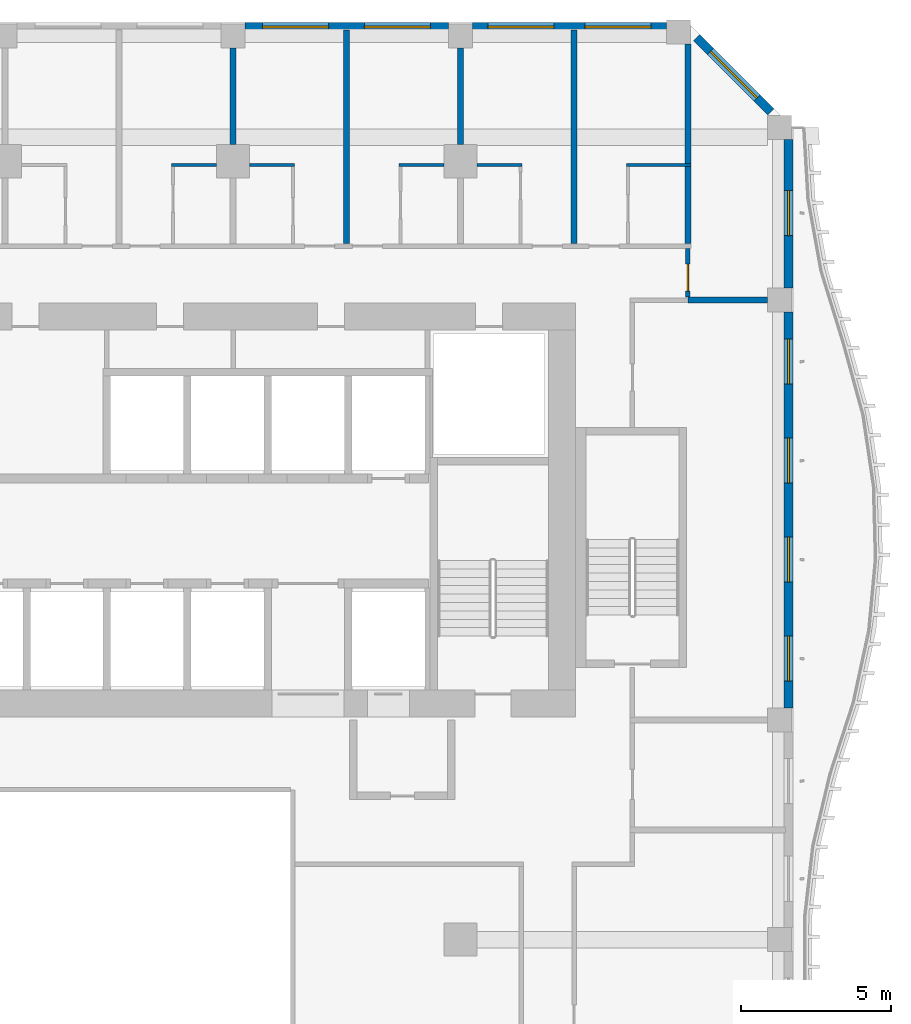
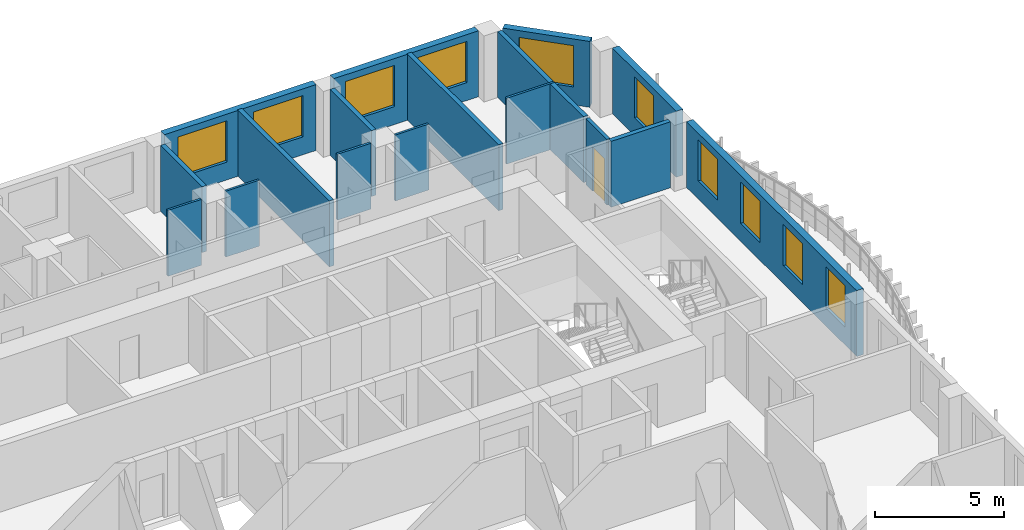
# One storey, part 10 of 21: 18 walls, 10 windows, 1 door, 11 openings.
"""IFC4 building model written with IfcOpenShell, lengths in metres."""

from ifc_helpers import new_model, si_unit, direction, frame, frame_2d, origin, place, context, subcontext, project, spatial, rectangle, extrude, source, transform, mapped, material, layer, layer_set, type_object, element, fill, save


model = new_model("IFC4")

# Units and contexts
model_context = context("Model", 3, precision=1e-05, world=origin(), true_north=direction((0.0, 1.0)))
body_context = subcontext(model_context, "Body", "Model", "MODEL_VIEW")
ifc_project = project(units=[si_unit("LENGTHUNIT", "METRE"), si_unit("AREAUNIT", "SQUARE_METRE"), si_unit("VOLUMEUNIT", "CUBIC_METRE"), si_unit("PLANEANGLEUNIT", "RADIAN"), si_unit("MASSUNIT", "GRAM", prefix="KILO")], contexts=[model_context])

# Site, building, storey
site_placement = place(None, origin())
site = spatial("IfcSite", under=ifc_project, at=site_placement, CompositionType="ELEMENT")
building_placement = place(site_placement, origin())
building = spatial("IfcBuilding", under=site, at=building_placement, Name="Kilnfold Tower and Market Hall", CompositionType="ELEMENT")
storey_placement = place(building_placement, frame((0.0, 0.0, 147.300048828125)))
storey = spatial("IfcBuildingStorey", under=building, at=storey_placement, Name="L33", CompositionType="ELEMENT", Elevation=147.300048828125)

# Wall, opening, door
ifc_material_1 = material(Name="Gypsum board on steel studs", Category="steel")
ifc_layer_1 = layer(ifc_material_1, 0.14990234375)
ifc_layer_set_1 = layer_set([ifc_layer_1], Name="Gypsum board on steel studs")
wall_type_1 = type_object("IfcWallType", Name="WALL CORRIDOR 150", PredefinedType="PARTITIONING", material=ifc_layer_set_1)
wall_1_placement = place(storey_placement, frame((21.75, 22.10009765625, 0.0), z_axis=(0.0, 0.0, 1.0), x_axis=(0.0, 1.0, 0.0)))
wall_1 = element("IfcWall", 1, at=wall_1_placement, inside=storey, type_object=wall_type_1, Name="Partition LY21.26", PredefinedType="PARTITIONING", context=body_context, shape_type="SweptSolid", body=[
    extrude(rectangle(XDim=1.625, YDim=0.14990234375, at=frame_2d((0.8125, 0.0))), origin(), (0.0, 0.0, 1.0), 3.119873046875),
])
opening_1_placement = place(wall_1_placement, frame((0.199951171875, 0.0, 0.0)))
opening_1 = element("IfcOpeningElement", 2, at=opening_1_placement, cuts=wall_1, Name="Opening D2", PredefinedType="OPENING", context=body_context, shape_type="SweptSolid", body=[
    extrude(rectangle(XDim=0.89990234375, YDim=2.10009765625, at=frame_2d((0.449951171875, 1.050048828125))), frame((0.0, 0.0849609375, 0.0), z_axis=(0.0, -1.0, 0.0), x_axis=(1.0, 0.0, 0.0)), (0.0, 0.0, 1.0), 0.169921875),
])
ifc_material_2 = material(Name="Timber veneer door leaf in steel frame", Category="steel")
door_type = type_object("IfcDoorType", Name="DOOR ROOM 900 X2100", OperationType="NOTDEFINED", PredefinedType="DOOR", material=ifc_material_2)
door_placement = place(opening_1_placement, origin())
door = element("IfcDoor", 3, at=door_placement, inside=storey, type_object=door_type, Name="Door D2", OperationType="SINGLE_SWING_LEFT", OverallHeight=2.10009765625, OverallWidth=0.89990234375, PredefinedType="DOOR", context=body_context, shape_type="SweptSolid", body=[
    extrude(rectangle(XDim=0.89990234375, YDim=2.10009765625, at=frame_2d((0.449951171875, 1.050048828125))), frame((0.0, 0.02490234375, 0.0), z_axis=(0.0, -1.0, 0.0), x_axis=(1.0, 0.0, 0.0)), (0.0, 0.0, 1.0), 0.050048828125),
])
fill(opening_1, door)

# Walls
ifc_material_3 = material(Name="Gypsum board on steel studs", Category="steel")
ifc_layer_2 = layer(ifc_material_3, 0.10009765625)
ifc_layer_set_2 = layer_set([ifc_layer_2], Name="Gypsum board on steel studs")
wall_type_2 = type_object("IfcWallType", Name="WALL PARTITION 100", PredefinedType="PARTITIONING", material=ifc_layer_set_2)
for number, where, z_axis, x_axis, name in (
    (4, (4.532958984375, 26.501953125, 0.0), (0.0, 0.0, 1.0), (1.0, 0.0, 0.0), "Partition LY21.104"),
    (5, (7.133056640625, 26.501953125, 0.0), (0.0, 0.0, 1.0), (1.0, 0.0, 0.0), "Partition LY21.108"),
    (6, (12.116943359375, 26.501953125, 0.0), (0.0, 0.0, 1.0), (1.0, 0.0, 0.0), "Partition LY21.111"),
    (7, (14.717041015625, 26.501953125, 0.0), (0.0, 0.0, 1.0), (1.0, 0.0, 0.0), "Partition LY21.115"),
):
    element("IfcWall", number, at=place(storey_placement, frame(where, z_axis=z_axis, x_axis=x_axis)), inside=storey, type_object=wall_type_2, Name=name, PredefinedType="PARTITIONING", context=body_context, shape_type="SweptSolid", body=[
        extrude(rectangle(XDim=1.5, YDim=0.10009765625, at=frame_2d((0.75, 0.0))), origin(), (0.0, 0.0, 1.0), 3.119873046875),
    ])
wall_2_placement = place(storey_placement, frame((19.699951171875, 26.501953125, 0.0), z_axis=(0.0, 0.0, 1.0), x_axis=(1.0, 0.0, 0.0)))
element("IfcWall", 8, at=wall_2_placement, inside=storey, type_object=wall_type_2, Name="Partition LY21.118", PredefinedType="PARTITIONING", context=body_context, shape_type="SweptSolid", body=[
    extrude(rectangle(XDim=2.150146484375, YDim=0.10009765625, at=frame_2d((1.0751953125, 0.0))), origin(), (0.0, 0.0, 1.0), 3.119873046875),
])
ifc_material_4 = material(Name="Gypsum board on steel studs", Category="steel")
ifc_layer_3 = layer(ifc_material_4, 0.199951171875)
ifc_layer_set_3 = layer_set([ifc_layer_3], Name="Gypsum board on steel studs")
wall_type_3 = type_object("IfcWallType", Name="WALL PARTY 200", PredefinedType="PARTITIONING", material=ifc_layer_set_3)
wall_3_placement = place(storey_placement, frame((6.5830078125, 27.175048828125, 0.0), z_axis=(0.0, 0.0, 1.0), x_axis=(0.0, 1.0, 0.0)))
element("IfcWall", 9, at=wall_3_placement, inside=storey, type_object=wall_type_3, Name="Partition LY21.106", PredefinedType="PARTITIONING", context=body_context, shape_type="SweptSolid", body=[
    extrude(rectangle(XDim=3.224853515625, YDim=0.199951171875, at=frame_2d((1.6123046875, 0.0))), origin(), (0.0, 0.0, 1.0), 3.119873046875),
])
wall_4_placement = place(storey_placement, frame((10.375, 23.876953125, 0.0), z_axis=(0.0, 0.0, 1.0), x_axis=(0.0, 1.0, 0.0)))
element("IfcWall", 10, at=wall_4_placement, inside=storey, type_object=wall_type_3, Name="Partition LY21.110", PredefinedType="PARTITIONING", context=body_context, shape_type="SweptSolid", body=[
    extrude(rectangle(XDim=7.123046875, YDim=0.199951171875, at=frame_2d((3.5615234375, 0.0))), origin(), (0.0, 0.0, 1.0), 3.119873046875),
])
wall_5_placement = place(storey_placement, frame((14.1669921875, 27.175048828125, 0.0), z_axis=(0.0, 0.0, 1.0), x_axis=(0.0, 1.0, 0.0)))
element("IfcWall", 11, at=wall_5_placement, inside=storey, type_object=wall_type_3, Name="Partition LY21.113", PredefinedType="PARTITIONING", context=body_context, shape_type="SweptSolid", body=[
    extrude(rectangle(XDim=3.224853515625, YDim=0.199951171875, at=frame_2d((1.6123046875, 0.0))), origin(), (0.0, 0.0, 1.0), 3.119873046875),
])
wall_6_placement = place(storey_placement, frame((17.958984375, 23.876953125, 0.0), z_axis=(0.0, 0.0, 1.0), x_axis=(0.0, 1.0, 0.0)))
element("IfcWall", 12, at=wall_6_placement, inside=storey, type_object=wall_type_3, Name="Partition LY21.117", PredefinedType="PARTITIONING", context=body_context, shape_type="SweptSolid", body=[
    extrude(rectangle(XDim=7.123046875, YDim=0.199951171875, at=frame_2d((3.5615234375, 0.0))), origin(), (0.0, 0.0, 1.0), 3.119873046875),
])
wall_7_placement = place(storey_placement, frame((21.75, 26.552001953125, 0.0), z_axis=(0.0, 0.0, 1.0), x_axis=(0.0, 1.0, 0.0)))
element("IfcWall", 13, at=wall_7_placement, inside=storey, type_object=wall_type_3, Name="Partition LY21.120", PredefinedType="PARTITIONING", context=body_context, shape_type="SweptSolid", body=[
    extrude(rectangle(XDim=3.97998046875, YDim=0.199951171875, at=frame_2d((1.989990234375, 0.0))), origin(), (0.0, 0.0, 1.0), 3.119873046875),
])
wall_8_placement = place(storey_placement, frame((21.75, 23.876953125, 0.0), z_axis=(0.0, 0.0, 1.0), x_axis=(0.0, 1.0, 0.0)))
element("IfcWall", 14, at=wall_8_placement, inside=storey, type_object=wall_type_3, Name="Partition LY21.121", PredefinedType="PARTITIONING", context=body_context, shape_type="SweptSolid", body=[
    extrude(rectangle(XDim=2.574951171875, YDim=0.199951171875, at=frame_2d((1.28759765625, 0.0))), origin(), (0.0, 0.0, 1.0), 3.119873046875),
])
wall_9_placement = place(storey_placement, frame((21.751953125, 22.0, 0.0), z_axis=(0.0, 0.0, 1.0), x_axis=(1.0, 0.0, 0.0)))
element("IfcWall", 15, at=wall_9_placement, inside=storey, type_object=wall_type_3, Name="Partition LY21.122", PredefinedType="PARTITIONING", context=body_context, shape_type="SweptSolid", body=[
    extrude(rectangle(XDim=2.64794921875, YDim=0.199951171875, at=frame_2d((1.323974609375, 0.0))), origin(), (0.0, 0.0, 1.0), 3.119873046875),
])

# Wall, openings, windows
ifc_material_5 = material(Name="Precast concrete C50/60", Category="concrete")
ifc_layer_4 = layer(ifc_material_5, 0.300048828125)
ifc_layer_set_4 = layer_set([ifc_layer_4], Name="Precast concrete C50/60")
wall_type_4 = type_object("IfcWallType", Name="PRECAST WALL 300", PredefinedType="SOLIDWALL", material=ifc_layer_set_4)
shared_shape_1 = source(origin(), body_context, "Body", "SweptSolid", [
    extrude(rectangle(XDim=6.783203125, YDim=0.300048828125, at=frame_2d((3.3916015625, 0.0))), origin(), (0.0, 0.0, 1.0), 3.119873046875),
])
wall_10_placement = place(storey_placement, frame((13.7666015625, 31.10009765625, 0.0), z_axis=(0.0, 0.0, 1.0), x_axis=(-1.0, 0.0, 0.0)))
wall_10 = element("IfcWall", 16, at=wall_10_placement, inside=storey, type_object=wall_type_4, Name="External wall L33 N", PredefinedType="SOLIDWALL", context=body_context, shape_type="MappedRepresentation", body=[
    mapped(shared_shape_1, transform((0.0, 0.0, 0.0))),
])
opening_2_placement = place(wall_10_placement, frame((0.595703125, 0.0, 0.85009765625)))
opening_2 = element("IfcOpeningElement", 17, at=opening_2_placement, cuts=wall_10, Name="Opening W2", PredefinedType="OPENING", context=body_context, shape_type="SweptSolid", body=[
    extrude(rectangle(XDim=2.199951171875, YDim=1.949951171875, at=frame_2d((1.10009765625, 0.97509765625))), frame((0.0, 0.16015625, 0.0), z_axis=(0.0, -1.0, 0.0), x_axis=(1.0, 0.0, 0.0)), (0.0, 0.0, 1.0), 0.320068359375),
])
opening_3_placement = place(wall_10_placement, frame((3.987548828125, 0.0, 0.85009765625)))
opening_3 = element("IfcOpeningElement", 18, at=opening_3_placement, cuts=wall_10, Name="Opening W2", PredefinedType="OPENING", context=body_context, shape_type="SweptSolid", body=[
    extrude(rectangle(XDim=2.199951171875, YDim=1.949951171875, at=frame_2d((1.10009765625, 0.97509765625))), frame((0.0, 0.16015625, 0.0), z_axis=(0.0, -1.0, 0.0), x_axis=(1.0, 0.0, 0.0)), (0.0, 0.0, 1.0), 0.320068359375),
])
ifc_material_6 = material(Name="Aluminium frame and double glazing", Category="aluminium")
window_type_1 = type_object("IfcWindowType", Name="WINDOW W2 2200X1950", PartitioningType="SINGLE_PANEL", PredefinedType="WINDOW", material=ifc_material_6)
window_1_placement = place(opening_2_placement, origin())
window_1 = element("IfcWindow", 19, at=window_1_placement, inside=storey, type_object=window_type_1, Name="Window W2 L33 N-1", OverallHeight=1.949951171875, OverallWidth=2.199951171875, PartitioningType="SINGLE_PANEL", PredefinedType="WINDOW", context=body_context, shape_type="SweptSolid", body=[
    extrude(rectangle(XDim=2.199951171875, YDim=1.949951171875, at=frame_2d((1.10009765625, 0.97509765625))), frame((0.0, 0.030029296875, 0.0), z_axis=(0.0, -1.0, 0.0), x_axis=(1.0, 0.0, 0.0)), (0.0, 0.0, 1.0), 0.06005859375),
])
fill(opening_2, window_1)
window_2_placement = place(opening_3_placement, origin())
window_2 = element("IfcWindow", 20, at=window_2_placement, inside=storey, type_object=window_type_1, Name="Window W2 L33 N-2", OverallHeight=1.949951171875, OverallWidth=2.199951171875, PartitioningType="SINGLE_PANEL", PredefinedType="WINDOW", context=body_context, shape_type="SweptSolid", body=[
    extrude(rectangle(XDim=2.199951171875, YDim=1.949951171875, at=frame_2d((1.10009765625, 0.97509765625))), frame((0.0, 0.030029296875, 0.0), z_axis=(0.0, -1.0, 0.0), x_axis=(1.0, 0.0, 0.0)), (0.0, 0.0, 1.0), 0.06005859375),
])
fill(opening_3, window_2)

# Wall, opening, window
shared_shape_2 = source(origin(), body_context, "Body", "SweptSolid", [
    extrude(rectangle(XDim=3.500244140625, YDim=0.300048828125, at=frame_2d((1.75, 0.0))), origin(), (0.0, 0.0, 1.0), 3.119873046875),
])
wall_11_placement = place(storey_placement, frame((24.518798828125, 28.268798828125, 0.0), z_axis=(0.0, 0.0, 1.0), x_axis=(-0.70707190453, 0.707141656123, 0.0)))
wall_11 = element("IfcWall", 21, at=wall_11_placement, inside=storey, type_object=wall_type_4, Name="External wall L33 NE", PredefinedType="SOLIDWALL", context=body_context, shape_type="MappedRepresentation", body=[
    mapped(shared_shape_2, transform((0.0, 0.0, 0.0))),
])
opening_4_placement = place(wall_11_placement, frame((0.650146484375, 0.0, 0.85009765625)))
opening_4 = element("IfcOpeningElement", 22, at=opening_4_placement, cuts=wall_11, Name="Opening W2", PredefinedType="OPENING", context=body_context, shape_type="SweptSolid", body=[
    extrude(rectangle(XDim=2.199951171875, YDim=1.949951171875, at=frame_2d((1.10009765625, 0.97509765625))), frame((0.0, 0.16015625, 0.0), z_axis=(0.0, -1.0, 0.0), x_axis=(1.0, 0.0, 0.0)), (0.0, 0.0, 1.0), 0.320068359375),
])
window_3_placement = place(opening_4_placement, origin())
window_3 = element("IfcWindow", 23, at=window_3_placement, inside=storey, type_object=window_type_1, Name="Window W2 L33 NE-1", OverallHeight=1.949951171875, OverallWidth=2.199951171875, PartitioningType="SINGLE_PANEL", PredefinedType="WINDOW", context=body_context, shape_type="SweptSolid", body=[
    extrude(rectangle(XDim=2.199951171875, YDim=1.949951171875, at=frame_2d((1.10009765625, 0.97509765625))), frame((0.0, 0.030029296875, 0.0), z_axis=(0.0, -1.0, 0.0), x_axis=(1.0, 0.0, 0.0)), (0.0, 0.0, 1.0), 0.06005859375),
])
fill(opening_4, window_3)

# Wall, openings, windows
shared_shape_3 = source(origin(), body_context, "Body", "SweptSolid", [
    extrude(rectangle(XDim=13.2001953125, YDim=0.300048828125, at=frame_2d((6.60009765625, 0.0))), origin(), (0.0, 0.0, 1.0), 3.119873046875),
])
wall_12_placement = place(storey_placement, frame((25.10009765625, 8.39990234375, 0.0), z_axis=(0.0, 0.0, 1.0), x_axis=(0.0, 1.0, 0.0)))
wall_12 = element("IfcWall", 24, at=wall_12_placement, inside=storey, type_object=wall_type_4, Name="External wall L33 E", PredefinedType="SOLIDWALL", context=body_context, shape_type="MappedRepresentation", body=[
    mapped(shared_shape_3, transform((0.0, 0.0, 0.0))),
])
opening_5_placement = place(wall_12_placement, frame((0.89990234375, 0.0, 0.85009765625)))
opening_5 = element("IfcOpeningElement", 25, at=opening_5_placement, cuts=wall_12, Name="Opening W4", PredefinedType="OPENING", context=body_context, shape_type="SweptSolid", body=[
    extrude(rectangle(XDim=1.5, YDim=1.949951171875, at=frame_2d((0.75, 0.97509765625))), frame((0.0, 0.16015625, 0.0), z_axis=(0.0, -1.0, 0.0), x_axis=(1.0, 0.0, 0.0)), (0.0, 0.0, 1.0), 0.320068359375),
])
opening_6_placement = place(wall_12_placement, frame((4.199951171875, 0.0, 0.85009765625)))
opening_6 = element("IfcOpeningElement", 26, at=opening_6_placement, cuts=wall_12, Name="Opening W4", PredefinedType="OPENING", context=body_context, shape_type="SweptSolid", body=[
    extrude(rectangle(XDim=1.5, YDim=1.949951171875, at=frame_2d((0.75, 0.97509765625))), frame((0.0, 0.16015625, 0.0), z_axis=(0.0, -1.0, 0.0), x_axis=(1.0, 0.0, 0.0)), (0.0, 0.0, 1.0), 0.320068359375),
])
opening_7_placement = place(wall_12_placement, frame((7.5, 0.0, 0.85009765625)))
opening_7 = element("IfcOpeningElement", 27, at=opening_7_placement, cuts=wall_12, Name="Opening W4", PredefinedType="OPENING", context=body_context, shape_type="SweptSolid", body=[
    extrude(rectangle(XDim=1.5, YDim=1.949951171875, at=frame_2d((0.75, 0.97509765625))), frame((0.0, 0.16015625, 0.0), z_axis=(0.0, -1.0, 0.0), x_axis=(1.0, 0.0, 0.0)), (0.0, 0.0, 1.0), 0.320068359375),
])
opening_8_placement = place(wall_12_placement, frame((10.800048828125, 0.0, 0.85009765625)))
opening_8 = element("IfcOpeningElement", 28, at=opening_8_placement, cuts=wall_12, Name="Opening W4", PredefinedType="OPENING", context=body_context, shape_type="SweptSolid", body=[
    extrude(rectangle(XDim=1.5, YDim=1.949951171875, at=frame_2d((0.75, 0.97509765625))), frame((0.0, 0.16015625, 0.0), z_axis=(0.0, -1.0, 0.0), x_axis=(1.0, 0.0, 0.0)), (0.0, 0.0, 1.0), 0.320068359375),
])
ifc_material_7 = material(Name="Aluminium frame and double glazing", Category="aluminium")
window_type_2 = type_object("IfcWindowType", Name="WINDOW W4 1500X1950", PartitioningType="SINGLE_PANEL", PredefinedType="WINDOW", material=ifc_material_7)
window_4_placement = place(opening_5_placement, origin())
window_4 = element("IfcWindow", 29, at=window_4_placement, inside=storey, type_object=window_type_2, Name="Window W4 L33 E-1", OverallHeight=1.949951171875, OverallWidth=1.5, PartitioningType="SINGLE_PANEL", PredefinedType="WINDOW", context=body_context, shape_type="SweptSolid", body=[
    extrude(rectangle(XDim=1.5, YDim=1.949951171875, at=frame_2d((0.75, 0.97509765625))), frame((0.0, 0.030029296875, 0.0), z_axis=(0.0, -1.0, 0.0), x_axis=(1.0, 0.0, 0.0)), (0.0, 0.0, 1.0), 0.06005859375),
])
fill(opening_5, window_4)
window_5_placement = place(opening_6_placement, origin())
window_5 = element("IfcWindow", 30, at=window_5_placement, inside=storey, type_object=window_type_2, Name="Window W4 L33 E-2", OverallHeight=1.949951171875, OverallWidth=1.5, PartitioningType="SINGLE_PANEL", PredefinedType="WINDOW", context=body_context, shape_type="SweptSolid", body=[
    extrude(rectangle(XDim=1.5, YDim=1.949951171875, at=frame_2d((0.75, 0.97509765625))), frame((0.0, 0.030029296875, 0.0), z_axis=(0.0, -1.0, 0.0), x_axis=(1.0, 0.0, 0.0)), (0.0, 0.0, 1.0), 0.06005859375),
])
fill(opening_6, window_5)
window_6_placement = place(opening_7_placement, origin())
window_6 = element("IfcWindow", 31, at=window_6_placement, inside=storey, type_object=window_type_2, Name="Window W4 L33 E-3", OverallHeight=1.949951171875, OverallWidth=1.5, PartitioningType="SINGLE_PANEL", PredefinedType="WINDOW", context=body_context, shape_type="SweptSolid", body=[
    extrude(rectangle(XDim=1.5, YDim=1.949951171875, at=frame_2d((0.75, 0.97509765625))), frame((0.0, 0.030029296875, 0.0), z_axis=(0.0, -1.0, 0.0), x_axis=(1.0, 0.0, 0.0)), (0.0, 0.0, 1.0), 0.06005859375),
])
fill(opening_7, window_6)
window_7_placement = place(opening_8_placement, origin())
window_7 = element("IfcWindow", 32, at=window_7_placement, inside=storey, type_object=window_type_2, Name="Window W4 L33 E-4", OverallHeight=1.949951171875, OverallWidth=1.5, PartitioningType="SINGLE_PANEL", PredefinedType="WINDOW", context=body_context, shape_type="SweptSolid", body=[
    extrude(rectangle(XDim=1.5, YDim=1.949951171875, at=frame_2d((0.75, 0.97509765625))), frame((0.0, 0.030029296875, 0.0), z_axis=(0.0, -1.0, 0.0), x_axis=(1.0, 0.0, 0.0)), (0.0, 0.0, 1.0), 0.06005859375),
])
fill(opening_8, window_7)

# Wall, opening, window
shared_shape_4 = source(origin(), body_context, "Body", "SweptSolid", [
    extrude(rectangle(XDim=4.9501953125, YDim=0.300048828125, at=frame_2d((2.47509765625, 0.0))), origin(), (0.0, 0.0, 1.0), 3.119873046875),
])
wall_13_placement = place(storey_placement, frame((25.10009765625, 22.39990234375, 0.0), z_axis=(0.0, 0.0, 1.0), x_axis=(0.0, 1.0, 0.0)))
wall_13 = element("IfcWall", 33, at=wall_13_placement, inside=storey, type_object=wall_type_4, Name="External wall L33 E", PredefinedType="SOLIDWALL", context=body_context, shape_type="MappedRepresentation", body=[
    mapped(shared_shape_4, transform((0.0, 0.0, 0.0))),
])
opening_9_placement = place(wall_13_placement, frame((1.75, 0.0, 0.85009765625)))
opening_9 = element("IfcOpeningElement", 34, at=opening_9_placement, cuts=wall_13, Name="Opening W4", PredefinedType="OPENING", context=body_context, shape_type="SweptSolid", body=[
    extrude(rectangle(XDim=1.5, YDim=1.949951171875, at=frame_2d((0.75, 0.97509765625))), frame((0.0, 0.16015625, 0.0), z_axis=(0.0, -1.0, 0.0), x_axis=(1.0, 0.0, 0.0)), (0.0, 0.0, 1.0), 0.320068359375),
])
window_8_placement = place(opening_9_placement, origin())
window_8 = element("IfcWindow", 35, at=window_8_placement, inside=storey, type_object=window_type_2, Name="Window W4 L33 E-1", OverallHeight=1.949951171875, OverallWidth=1.5, PartitioningType="SINGLE_PANEL", PredefinedType="WINDOW", context=body_context, shape_type="SweptSolid", body=[
    extrude(rectangle(XDim=1.5, YDim=1.949951171875, at=frame_2d((0.75, 0.97509765625))), frame((0.0, 0.030029296875, 0.0), z_axis=(0.0, -1.0, 0.0), x_axis=(1.0, 0.0, 0.0)), (0.0, 0.0, 1.0), 0.06005859375),
])
fill(opening_9, window_8)

# Wall, openings, windows
shared_shape_5 = source(origin(), body_context, "Body", "SweptSolid", [
    extrude(rectangle(XDim=6.465087890625, YDim=0.300048828125, at=frame_2d((3.232421875, 0.0))), origin(), (0.0, 0.0, 1.0), 3.119873046875),
])
wall_14_placement = place(storey_placement, frame((21.03173828125, 31.10009765625, 0.0), z_axis=(0.0, 0.0, 1.0), x_axis=(-1.0, 0.0, 0.0)))
wall_14 = element("IfcWall", 36, at=wall_14_placement, inside=storey, type_object=wall_type_4, Name="External wall L33 N", PredefinedType="SOLIDWALL", context=body_context, shape_type="MappedRepresentation", body=[
    mapped(shared_shape_5, transform((0.0, 0.0, 0.0))),
])
opening_10_placement = place(wall_14_placement, frame((0.51611328125, 0.0, 0.85009765625)))
opening_10 = element("IfcOpeningElement", 37, at=opening_10_placement, cuts=wall_14, Name="Opening W2", PredefinedType="OPENING", context=body_context, shape_type="SweptSolid", body=[
    extrude(rectangle(XDim=2.199951171875, YDim=1.949951171875, at=frame_2d((1.10009765625, 0.97509765625))), frame((0.0, 0.16015625, 0.0), z_axis=(0.0, -1.0, 0.0), x_axis=(1.0, 0.0, 0.0)), (0.0, 0.0, 1.0), 0.320068359375),
])
opening_11_placement = place(wall_14_placement, frame((3.748779296875, 0.0, 0.85009765625)))
opening_11 = element("IfcOpeningElement", 38, at=opening_11_placement, cuts=wall_14, Name="Opening W2", PredefinedType="OPENING", context=body_context, shape_type="SweptSolid", body=[
    extrude(rectangle(XDim=2.199951171875, YDim=1.949951171875, at=frame_2d((1.10009765625, 0.97509765625))), frame((0.0, 0.16015625, 0.0), z_axis=(0.0, -1.0, 0.0), x_axis=(1.0, 0.0, 0.0)), (0.0, 0.0, 1.0), 0.320068359375),
])
window_9_placement = place(opening_10_placement, origin())
window_9 = element("IfcWindow", 39, at=window_9_placement, inside=storey, type_object=window_type_1, Name="Window W2 L33 N-1", OverallHeight=1.949951171875, OverallWidth=2.199951171875, PartitioningType="SINGLE_PANEL", PredefinedType="WINDOW", context=body_context, shape_type="SweptSolid", body=[
    extrude(rectangle(XDim=2.199951171875, YDim=1.949951171875, at=frame_2d((1.10009765625, 0.97509765625))), frame((0.0, 0.030029296875, 0.0), z_axis=(0.0, -1.0, 0.0), x_axis=(1.0, 0.0, 0.0)), (0.0, 0.0, 1.0), 0.06005859375),
])
fill(opening_10, window_9)
window_10_placement = place(opening_11_placement, origin())
window_10 = element("IfcWindow", 40, at=window_10_placement, inside=storey, type_object=window_type_1, Name="Window W2 L33 N-2", OverallHeight=1.949951171875, OverallWidth=2.199951171875, PartitioningType="SINGLE_PANEL", PredefinedType="WINDOW", context=body_context, shape_type="SweptSolid", body=[
    extrude(rectangle(XDim=2.199951171875, YDim=1.949951171875, at=frame_2d((1.10009765625, 0.97509765625))), frame((0.0, 0.030029296875, 0.0), z_axis=(0.0, -1.0, 0.0), x_axis=(1.0, 0.0, 0.0)), (0.0, 0.0, 1.0), 0.06005859375),
])
fill(opening_11, window_10)

save(model, "model.ifc")
